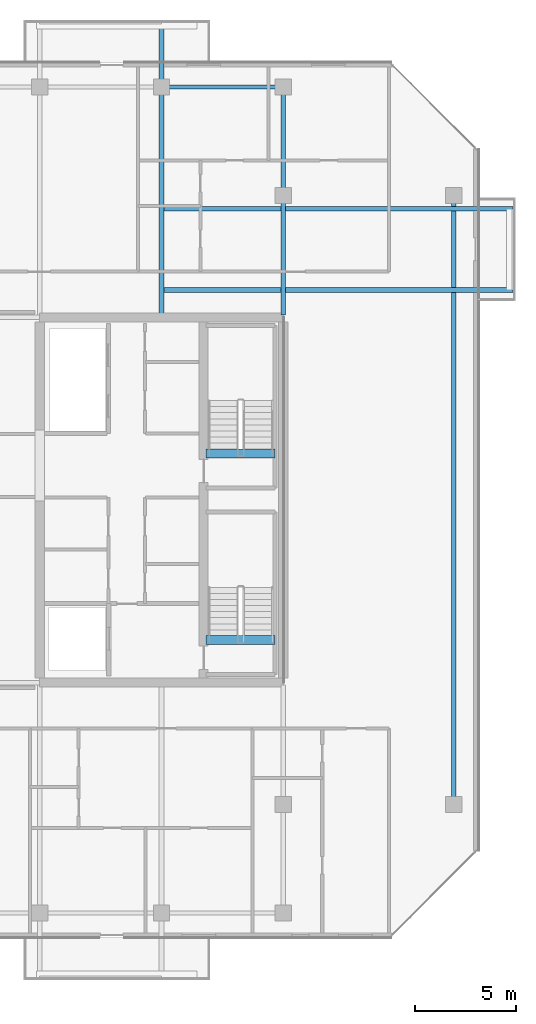
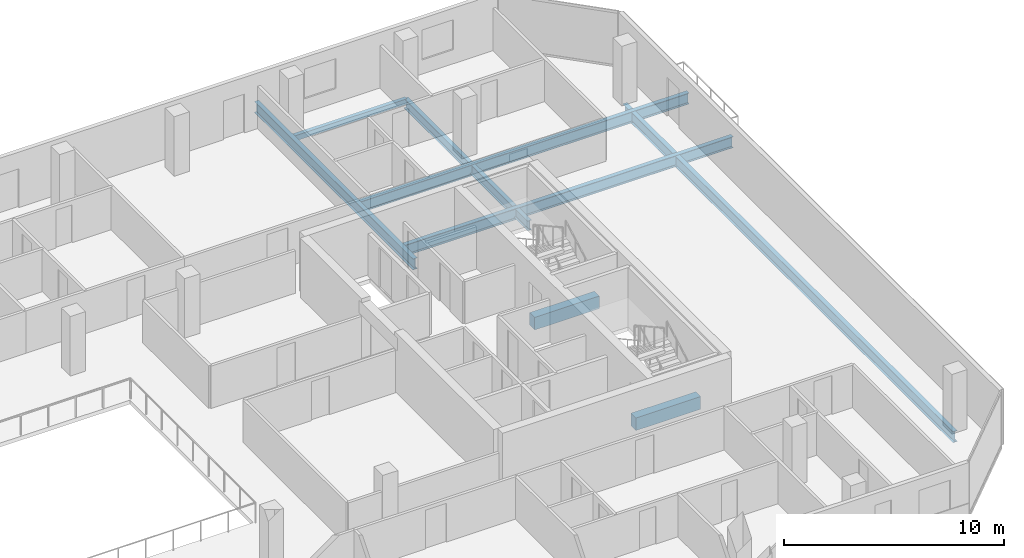
# One storey, part 15 of 29: 8 beams.
"""IFC4 building model written with IfcOpenShell, lengths in metres."""

from ifc_helpers import new_model, si_unit, direction, frame, origin, origin_2d, place, context, subcontext, project, spatial, rectangle, hollow_rectangle, i_section, extrude, material, material_profile, profile_set, type_object, element, save


model = new_model("IFC4")

# Units and contexts
model_context = context("Model", 3, precision=1e-05, world=origin(), true_north=direction((0.0, 1.0)))
body_context = subcontext(model_context, "Body", "Model", "MODEL_VIEW")
ifc_project = project(units=[si_unit("LENGTHUNIT", "METRE"), si_unit("AREAUNIT", "SQUARE_METRE"), si_unit("VOLUMEUNIT", "CUBIC_METRE"), si_unit("PLANEANGLEUNIT", "RADIAN"), si_unit("MASSUNIT", "GRAM", prefix="KILO")], contexts=[model_context])

# Site, building, storey
site_placement = place(None, origin())
site = spatial("IfcSite", under=ifc_project, at=site_placement, CompositionType="ELEMENT")
building_placement = place(site_placement, origin())
building = spatial("IfcBuilding", under=site, at=building_placement, Name="Tanjung Sevakor Pilgrim Tower", CompositionType="ELEMENT")
storey_placement = place(building_placement, frame((0.0, 0.0, 181.830078125)))
storey = spatial("IfcBuildingStorey", under=building, at=storey_placement, Name="L50", CompositionType="ELEMENT", Elevation=181.830078125)

# Beams
ifc_material_1 = material(Name="Steel S355J2", Category="steel")
ifc_material_profile_1 = material_profile(ifc_material_1, i_section(OverallWidth=0.22900390625, OverallDepth=0.6123046875, WebThickness=0.011962890625, FlangeThickness=0.01953125, FilletRadius=0.0126953125, at=origin_2d()))
ifc_profile_set_1 = profile_set([ifc_material_profile_1], Name="Steel S355J2")
beam_type_1 = type_object("IfcBeamType", Name="BM-B-G4-UB_610x229x125", PredefinedType="BEAM", material=ifc_profile_set_1)
beam_1_placement = place(storey_placement, frame((98.39990234375, 18.60009765625, -0.526123046875), z_axis=(0.0, 1.0, 0.0), x_axis=(-1.0, 0.0, 0.0)))
element("IfcBeam", 1, at=beam_1_placement, inside=storey, type_object=beam_type_1, Name="L50 Short-End Edge Girder E", PredefinedType="BEAM", context=body_context, shape_type="SweptSolid", body=[
    extrude(i_section(OverallWidth=0.22900390625, OverallDepth=0.6123046875, WebThickness=0.011962890625, FlangeThickness=0.01953125, FilletRadius=0.0126953125, at=origin_2d()), origin(), (0.0, 0.0, 1.0), 30.0),
])
for number, where, z_axis, x_axis, name in (
    (2, (84.0, 43.949951171875, -0.526123046875), (1.0, 0.0, 0.0), (0.0, 1.0, 0.0), "L50 Balcony Overhanging Beam MAIN-E1-1"),
    (3, (84.0, 47.949951171875, -0.526123046875), (1.0, 0.0, 0.0), (0.0, 1.0, 0.0), "L50 Balcony Overhanging Beam MAIN-E1-2"),
):
    element("IfcBeam", number, at=place(storey_placement, frame(where, z_axis=z_axis, x_axis=x_axis)), inside=storey, type_object=beam_type_1, Name=name, PredefinedType="BEAM", context=body_context, shape_type="SweptSolid", body=[
        extrude(i_section(OverallWidth=0.22900390625, OverallDepth=0.6123046875, WebThickness=0.011962890625, FlangeThickness=0.01953125, FilletRadius=0.0126953125, at=origin_2d()), origin(), (0.0, 0.0, 1.0), 17.330078125),
    ])
beam_2_placement = place(storey_placement, frame((84.0, 42.714599609375, -0.526123046875), z_axis=(0.0, 1.0, 0.0), x_axis=(-1.0, 0.0, 0.0)))
element("IfcBeam", 4, at=beam_2_placement, inside=storey, type_object=beam_type_1, Name="L50 Balcony Cantilever Beam MAIN-N4-2", PredefinedType="BEAM", context=body_context, shape_type="SweptSolid", body=[
    extrude(i_section(OverallWidth=0.22900390625, OverallDepth=0.6123046875, WebThickness=0.011962890625, FlangeThickness=0.01953125, FilletRadius=0.0126953125, at=origin_2d()), origin(), (0.0, 0.0, 1.0), 14.415283203125),
])
ifc_material_2 = material(Name="Steel S355J2", Category="steel")
ifc_material_profile_2 = material_profile(ifc_material_2, i_section(OverallWidth=0.2119140625, OverallDepth=0.54443359375, WebThickness=0.0126953125, FlangeThickness=0.021240234375, FilletRadius=0.0126953125, at=origin_2d()))
ifc_profile_set_2 = profile_set([ifc_material_profile_2], Name="Steel S355J2")
beam_type_2 = type_object("IfcBeamType", Name="BM-B-G5-UB_533x210x122", PredefinedType="BEAM", material=ifc_profile_set_2)
beam_3_placement = place(storey_placement, frame((90.0, 42.714599609375, -0.492431640625), z_axis=(0.0, 1.0, 0.0), x_axis=(-1.0, 0.0, 0.0)))
element("IfcBeam", 5, at=beam_3_placement, inside=storey, type_object=beam_type_2, Name="L50 MAIN Girder 014", PredefinedType="BEAM", context=body_context, shape_type="SweptSolid", body=[
    extrude(i_section(OverallWidth=0.2119140625, OverallDepth=0.54443359375, WebThickness=0.0126953125, FlangeThickness=0.021240234375, FilletRadius=0.0126953125, at=origin_2d()), origin(), (0.0, 0.0, 1.0), 11.2353515625),
])
ifc_material_3 = material(Name="Concrete C60/75", Category="concrete")
ifc_material_profile_3 = material_profile(ifc_material_3, rectangle(XDim=0.449951171875, YDim=0.699951171875, at=origin_2d()))
ifc_profile_set_3 = profile_set([ifc_material_profile_3], Name="Concrete C60/75")
beam_type_3 = type_object("IfcBeamType", Name="BM-B-LN3-RC-BM_450x700", PredefinedType="LINTEL", material=ifc_profile_set_3)
for number, where, z_axis, x_axis, name in (
    (6, (86.199951171875, 26.699951171875, -0.35009765625), (1.0, 0.0, 0.0), (0.0, 1.0, 0.0), "L50 TS-E1 Stair Threshold Beam"),
    (7, (86.199951171875, 35.89990234375, -0.35009765625), (1.0, 0.0, 0.0), (0.0, 1.0, 0.0), "L50 TS-E2 Stair Threshold Beam"),
):
    element("IfcBeam", number, at=place(storey_placement, frame(where, z_axis=z_axis, x_axis=x_axis)), inside=storey, type_object=beam_type_3, Name=name, PredefinedType="LINTEL", context=body_context, shape_type="SweptSolid", body=[
        extrude(rectangle(XDim=0.449951171875, YDim=0.699951171875, at=origin_2d()), origin(), (0.0, 0.0, 1.0), 3.400146484375),
    ])
ifc_material_4 = material(Name="Steel S355J2", Category="steel")
ifc_material_profile_4 = material_profile(ifc_material_4, hollow_rectangle(XDim=0.199951171875, YDim=0.300048828125, WallThickness=0.012451171875, at=origin_2d()))
ifc_profile_set_4 = profile_set([ifc_material_profile_4], Name="Steel S355J2")
beam_type_4 = type_object("IfcBeamType", Name="BM-B-SP3-RHS_300x200x12.5", PredefinedType="SPANDREL", material=ifc_profile_set_4)
beam_4_placement = place(storey_placement, frame((84.0, 53.949951171875, -0.3701171875), z_axis=(1.0, 0.0, 0.0), x_axis=(0.0, 1.0, 0.0)))
element("IfcBeam", 8, at=beam_4_placement, inside=storey, type_object=beam_type_4, Name="L50 Spandrel MAIN N-16", PredefinedType="SPANDREL", context=body_context, shape_type="SweptSolid", body=[
    extrude(hollow_rectangle(XDim=0.199951171875, YDim=0.300048828125, WallThickness=0.012451171875, at=origin_2d()), origin(), (0.0, 0.0, 1.0), 6.0),
])

save(model, "model.ifc")
